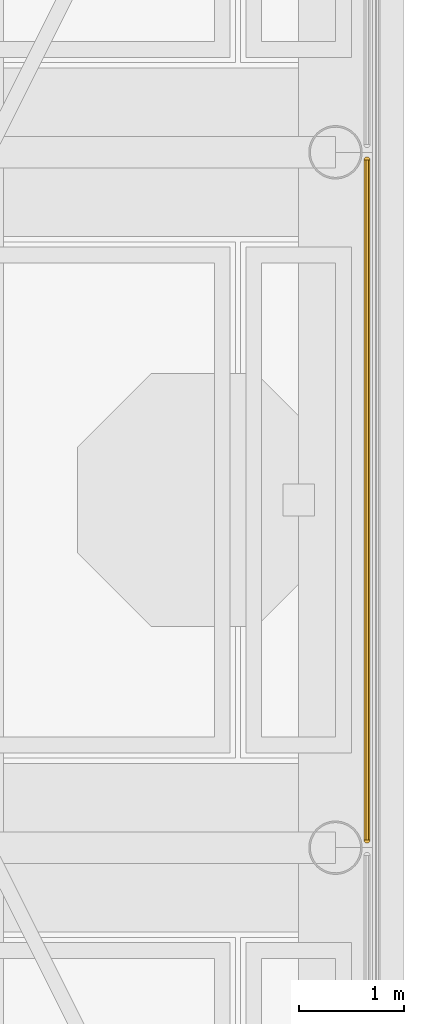
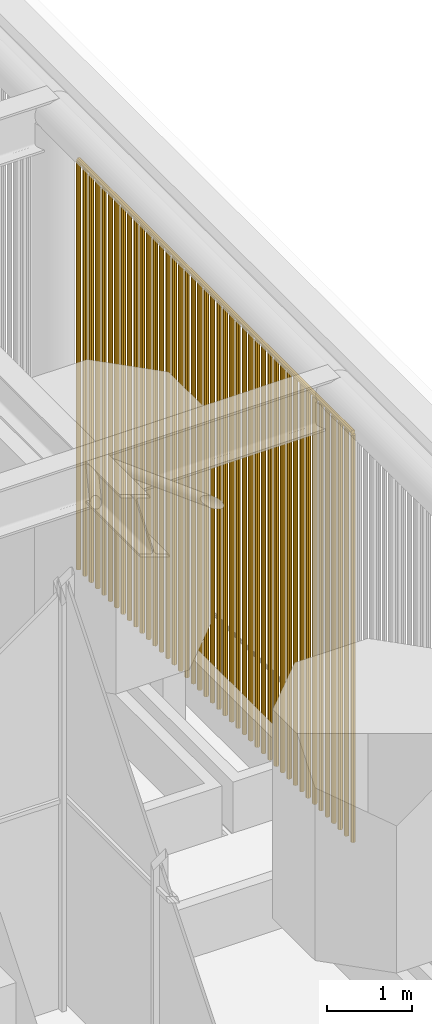
# One storey, part 16 of 22: 1 covering.
"""IFC4 building model written with IfcOpenShell, lengths in metres."""

from ifc_helpers import new_model, si_unit, direction, frame, origin, place, context, subcontext, project, spatial, polyline, outline, extrude, material, type_object, element, save


model = new_model("IFC4")

# Units and contexts
model_context = context("Model", 3, precision=1e-05, world=origin(), true_north=direction((0.0, 1.0)))
body_context = subcontext(model_context, "Body", "Model", "MODEL_VIEW")
ifc_project = project(units=[si_unit("LENGTHUNIT", "METRE"), si_unit("AREAUNIT", "SQUARE_METRE"), si_unit("VOLUMEUNIT", "CUBIC_METRE"), si_unit("PLANEANGLEUNIT", "RADIAN"), si_unit("MASSUNIT", "GRAM", prefix="KILO")], contexts=[model_context])

# Site, building, storey
site_placement = place(None, origin())
site = spatial("IfcSite", under=ifc_project, at=site_placement, CompositionType="ELEMENT")
building_placement = place(site_placement, origin())
building = spatial("IfcBuilding", under=site, at=building_placement, Name="Cobogo Forest Laboratory Tower", CompositionType="ELEMENT")
storey_placement = place(building_placement, frame((0.0, 0.0, 292.800048828125)))
storey = spatial("IfcBuildingStorey", under=building, at=storey_placement, Name="RF", CompositionType="ELEMENT", Elevation=292.800048828125)

# Covering
ifc_material = material(Name="Terracotta baguettes on a galvanised steel top rail", Category="masonry")
covering_type = type_object("IfcCoveringType", Name="CS1 crown terracotta baguette screen", PredefinedType="CLADDING", material=ifc_material)
covering_placement = place(storey_placement, frame((46.5, 19.875, -0.0009765625)))
element("IfcCovering", 1, at=covering_placement, inside=storey, type_object=covering_type, Name="Crown screen E2", PredefinedType="CLADDING", context=body_context, shape_type="SweptSolid", body=[
    extrude(outline(polyline([(0.02880859375, 0.011962890625), (0.011962890625, 0.02880859375), (-0.011962890625, 0.02880859375), (-0.02880859375, 0.011962890625), (-0.02880859375, -0.011962890625), (-0.011962890625, -0.02880859375), (0.011962890625, -0.02880859375), (0.02880859375, -0.011962890625), (0.02880859375, 0.011962890625)])), frame((0.0, 0.0, 5.873046875), z_axis=(0.0, 1.0, 0.0), x_axis=(-1.0, 0.0, 0.0)), (0.0, 0.0, 1.0), 6.449951171875),
    extrude(outline(polyline([(0.02880859375, 0.011962890625), (0.011962890625, 0.02880859375), (-0.011962890625, 0.02880859375), (-0.02880859375, 0.011962890625), (-0.02880859375, -0.011962890625), (-0.011962890625, -0.02880859375), (0.011962890625, -0.02880859375), (0.02880859375, -0.011962890625), (0.02880859375, 0.011962890625)])), origin(), (0.0, 0.0, 1.0), 5.841796875),
    extrude(outline(polyline([(0.02880859375, 0.011962890625), (0.011962890625, 0.02880859375), (-0.011962890625, 0.02880859375), (-0.02880859375, 0.011962890625), (-0.02880859375, -0.011962890625), (-0.011962890625, -0.02880859375), (0.011962890625, -0.02880859375), (0.02880859375, -0.011962890625), (0.02880859375, 0.011962890625)])), frame((0.0, 0.14990234375, 0.0)), (0.0, 0.0, 1.0), 5.841796875),
    extrude(outline(polyline([(0.02880859375, 0.011962890625), (0.011962890625, 0.02880859375), (-0.011962890625, 0.02880859375), (-0.02880859375, 0.011962890625), (-0.02880859375, -0.011962890625), (-0.011962890625, -0.02880859375), (0.011962890625, -0.02880859375), (0.02880859375, -0.011962890625), (0.02880859375, 0.011962890625)])), frame((0.0, 0.300048828125, 0.0)), (0.0, 0.0, 1.0), 5.841796875),
    extrude(outline(polyline([(0.02880859375, 0.011962890625), (0.011962890625, 0.02880859375), (-0.011962890625, 0.02880859375), (-0.02880859375, 0.011962890625), (-0.02880859375, -0.011962890625), (-0.011962890625, -0.02880859375), (0.011962890625, -0.02880859375), (0.02880859375, -0.011962890625), (0.02880859375, 0.011962890625)])), frame((0.0, 0.449951171875, 0.0)), (0.0, 0.0, 1.0), 5.841796875),
    extrude(outline(polyline([(0.02880859375, 0.011962890625), (0.011962890625, 0.02880859375), (-0.011962890625, 0.02880859375), (-0.02880859375, 0.011962890625), (-0.02880859375, -0.011962890625), (-0.011962890625, -0.02880859375), (0.011962890625, -0.02880859375), (0.02880859375, -0.011962890625), (0.02880859375, 0.011962890625)])), frame((0.0, 0.60009765625, 0.0)), (0.0, 0.0, 1.0), 5.841796875),
    extrude(outline(polyline([(0.02880859375, 0.011962890625), (0.011962890625, 0.02880859375), (-0.011962890625, 0.02880859375), (-0.02880859375, 0.011962890625), (-0.02880859375, -0.011962890625), (-0.011962890625, -0.02880859375), (0.011962890625, -0.02880859375), (0.02880859375, -0.011962890625), (0.02880859375, 0.011962890625)])), frame((0.0, 0.75, 0.0)), (0.0, 0.0, 1.0), 5.841796875),
    extrude(outline(polyline([(0.02880859375, 0.011962890625), (0.011962890625, 0.02880859375), (-0.011962890625, 0.02880859375), (-0.02880859375, 0.011962890625), (-0.02880859375, -0.011962890625), (-0.011962890625, -0.02880859375), (0.011962890625, -0.02880859375), (0.02880859375, -0.011962890625), (0.02880859375, 0.011962890625)])), frame((0.0, 0.89990234375, 0.0)), (0.0, 0.0, 1.0), 5.841796875),
    extrude(outline(polyline([(0.02880859375, 0.011962890625), (0.011962890625, 0.02880859375), (-0.011962890625, 0.02880859375), (-0.02880859375, 0.011962890625), (-0.02880859375, -0.011962890625), (-0.011962890625, -0.02880859375), (0.011962890625, -0.02880859375), (0.02880859375, -0.011962890625), (0.02880859375, 0.011962890625)])), frame((0.0, 1.050048828125, 0.0)), (0.0, 0.0, 1.0), 5.841796875),
    extrude(outline(polyline([(0.02880859375, 0.011962890625), (0.011962890625, 0.02880859375), (-0.011962890625, 0.02880859375), (-0.02880859375, 0.011962890625), (-0.02880859375, -0.011962890625), (-0.011962890625, -0.02880859375), (0.011962890625, -0.02880859375), (0.02880859375, -0.011962890625), (0.02880859375, 0.011962890625)])), frame((0.0, 1.199951171875, 0.0)), (0.0, 0.0, 1.0), 5.841796875),
    extrude(outline(polyline([(0.02880859375, 0.011962890625), (0.011962890625, 0.02880859375), (-0.011962890625, 0.02880859375), (-0.02880859375, 0.011962890625), (-0.02880859375, -0.011962890625), (-0.011962890625, -0.02880859375), (0.011962890625, -0.02880859375), (0.02880859375, -0.011962890625), (0.02880859375, 0.011962890625)])), frame((0.0, 1.35009765625, 0.0)), (0.0, 0.0, 1.0), 5.841796875),
    extrude(outline(polyline([(0.02880859375, 0.011962890625), (0.011962890625, 0.02880859375), (-0.011962890625, 0.02880859375), (-0.02880859375, 0.011962890625), (-0.02880859375, -0.011962890625), (-0.011962890625, -0.02880859375), (0.011962890625, -0.02880859375), (0.02880859375, -0.011962890625), (0.02880859375, 0.011962890625)])), frame((0.0, 1.5, 0.0)), (0.0, 0.0, 1.0), 5.841796875),
    extrude(outline(polyline([(0.02880859375, 0.011962890625), (0.011962890625, 0.02880859375), (-0.011962890625, 0.02880859375), (-0.02880859375, 0.011962890625), (-0.02880859375, -0.011962890625), (-0.011962890625, -0.02880859375), (0.011962890625, -0.02880859375), (0.02880859375, -0.011962890625), (0.02880859375, 0.011962890625)])), frame((0.0, 1.64990234375, 0.0)), (0.0, 0.0, 1.0), 5.841796875),
    extrude(outline(polyline([(0.02880859375, 0.011962890625), (0.011962890625, 0.02880859375), (-0.011962890625, 0.02880859375), (-0.02880859375, 0.011962890625), (-0.02880859375, -0.011962890625), (-0.011962890625, -0.02880859375), (0.011962890625, -0.02880859375), (0.02880859375, -0.011962890625), (0.02880859375, 0.011962890625)])), frame((0.0, 1.800048828125, 0.0)), (0.0, 0.0, 1.0), 5.841796875),
    extrude(outline(polyline([(0.02880859375, 0.011962890625), (0.011962890625, 0.02880859375), (-0.011962890625, 0.02880859375), (-0.02880859375, 0.011962890625), (-0.02880859375, -0.011962890625), (-0.011962890625, -0.02880859375), (0.011962890625, -0.02880859375), (0.02880859375, -0.011962890625), (0.02880859375, 0.011962890625)])), frame((0.0, 1.949951171875, 0.0)), (0.0, 0.0, 1.0), 5.841796875),
    extrude(outline(polyline([(0.02880859375, 0.011962890625), (0.011962890625, 0.02880859375), (-0.011962890625, 0.02880859375), (-0.02880859375, 0.011962890625), (-0.02880859375, -0.011962890625), (-0.011962890625, -0.02880859375), (0.011962890625, -0.02880859375), (0.02880859375, -0.011962890625), (0.02880859375, 0.011962890625)])), frame((0.0, 2.10009765625, 0.0)), (0.0, 0.0, 1.0), 5.841796875),
    extrude(outline(polyline([(0.02880859375, 0.011962890625), (0.011962890625, 0.02880859375), (-0.011962890625, 0.02880859375), (-0.02880859375, 0.011962890625), (-0.02880859375, -0.011962890625), (-0.011962890625, -0.02880859375), (0.011962890625, -0.02880859375), (0.02880859375, -0.011962890625), (0.02880859375, 0.011962890625)])), frame((0.0, 2.25, 0.0)), (0.0, 0.0, 1.0), 5.841796875),
    extrude(outline(polyline([(0.02880859375, 0.011962890625), (0.011962890625, 0.02880859375), (-0.011962890625, 0.02880859375), (-0.02880859375, 0.011962890625), (-0.02880859375, -0.011962890625), (-0.011962890625, -0.02880859375), (0.011962890625, -0.02880859375), (0.02880859375, -0.011962890625), (0.02880859375, 0.011962890625)])), frame((0.0, 2.39990234375, 0.0)), (0.0, 0.0, 1.0), 5.841796875),
    extrude(outline(polyline([(0.02880859375, 0.011962890625), (0.011962890625, 0.02880859375), (-0.011962890625, 0.02880859375), (-0.02880859375, 0.011962890625), (-0.02880859375, -0.011962890625), (-0.011962890625, -0.02880859375), (0.011962890625, -0.02880859375), (0.02880859375, -0.011962890625), (0.02880859375, 0.011962890625)])), frame((0.0, 2.550048828125, 0.0)), (0.0, 0.0, 1.0), 5.841796875),
    extrude(outline(polyline([(0.02880859375, 0.011962890625), (0.011962890625, 0.02880859375), (-0.011962890625, 0.02880859375), (-0.02880859375, 0.011962890625), (-0.02880859375, -0.011962890625), (-0.011962890625, -0.02880859375), (0.011962890625, -0.02880859375), (0.02880859375, -0.011962890625), (0.02880859375, 0.011962890625)])), frame((0.0, 2.699951171875, 0.0)), (0.0, 0.0, 1.0), 5.841796875),
    extrude(outline(polyline([(0.02880859375, 0.011962890625), (0.011962890625, 0.02880859375), (-0.011962890625, 0.02880859375), (-0.02880859375, 0.011962890625), (-0.02880859375, -0.011962890625), (-0.011962890625, -0.02880859375), (0.011962890625, -0.02880859375), (0.02880859375, -0.011962890625), (0.02880859375, 0.011962890625)])), frame((0.0, 2.85009765625, 0.0)), (0.0, 0.0, 1.0), 5.841796875),
    extrude(outline(polyline([(0.02880859375, 0.011962890625), (0.011962890625, 0.02880859375), (-0.011962890625, 0.02880859375), (-0.02880859375, 0.011962890625), (-0.02880859375, -0.011962890625), (-0.011962890625, -0.02880859375), (0.011962890625, -0.02880859375), (0.02880859375, -0.011962890625), (0.02880859375, 0.011962890625)])), frame((0.0, 3.0, 0.0)), (0.0, 0.0, 1.0), 5.841796875),
    extrude(outline(polyline([(0.02880859375, 0.011962890625), (0.011962890625, 0.02880859375), (-0.011962890625, 0.02880859375), (-0.02880859375, 0.011962890625), (-0.02880859375, -0.011962890625), (-0.011962890625, -0.02880859375), (0.011962890625, -0.02880859375), (0.02880859375, -0.011962890625), (0.02880859375, 0.011962890625)])), frame((0.0, 3.14990234375, 0.0)), (0.0, 0.0, 1.0), 5.841796875),
    extrude(outline(polyline([(0.02880859375, 0.011962890625), (0.011962890625, 0.02880859375), (-0.011962890625, 0.02880859375), (-0.02880859375, 0.011962890625), (-0.02880859375, -0.011962890625), (-0.011962890625, -0.02880859375), (0.011962890625, -0.02880859375), (0.02880859375, -0.011962890625), (0.02880859375, 0.011962890625)])), frame((0.0, 3.300048828125, 0.0)), (0.0, 0.0, 1.0), 5.841796875),
    extrude(outline(polyline([(0.02880859375, 0.011962890625), (0.011962890625, 0.02880859375), (-0.011962890625, 0.02880859375), (-0.02880859375, 0.011962890625), (-0.02880859375, -0.011962890625), (-0.011962890625, -0.02880859375), (0.011962890625, -0.02880859375), (0.02880859375, -0.011962890625), (0.02880859375, 0.011962890625)])), frame((0.0, 3.449951171875, 0.0)), (0.0, 0.0, 1.0), 5.841796875),
    extrude(outline(polyline([(0.02880859375, 0.011962890625), (0.011962890625, 0.02880859375), (-0.011962890625, 0.02880859375), (-0.02880859375, 0.011962890625), (-0.02880859375, -0.011962890625), (-0.011962890625, -0.02880859375), (0.011962890625, -0.02880859375), (0.02880859375, -0.011962890625), (0.02880859375, 0.011962890625)])), frame((0.0, 3.599853515625, 0.0)), (0.0, 0.0, 1.0), 5.841796875),
    extrude(outline(polyline([(0.02880859375, 0.011962890625), (0.011962890625, 0.02880859375), (-0.011962890625, 0.02880859375), (-0.02880859375, 0.011962890625), (-0.02880859375, -0.011962890625), (-0.011962890625, -0.02880859375), (0.011962890625, -0.02880859375), (0.02880859375, -0.011962890625), (0.02880859375, 0.011962890625)])), frame((0.0, 3.75, 0.0)), (0.0, 0.0, 1.0), 5.841796875),
    extrude(outline(polyline([(0.02880859375, 0.011962890625), (0.011962890625, 0.02880859375), (-0.011962890625, 0.02880859375), (-0.02880859375, 0.011962890625), (-0.02880859375, -0.011962890625), (-0.011962890625, -0.02880859375), (0.011962890625, -0.02880859375), (0.02880859375, -0.011962890625), (0.02880859375, 0.011962890625)])), frame((0.0, 3.89990234375, 0.0)), (0.0, 0.0, 1.0), 5.841796875),
    extrude(outline(polyline([(0.02880859375, 0.011962890625), (0.011962890625, 0.02880859375), (-0.011962890625, 0.02880859375), (-0.02880859375, 0.011962890625), (-0.02880859375, -0.011962890625), (-0.011962890625, -0.02880859375), (0.011962890625, -0.02880859375), (0.02880859375, -0.011962890625), (0.02880859375, 0.011962890625)])), frame((0.0, 4.050048828125, 0.0)), (0.0, 0.0, 1.0), 5.841796875),
    extrude(outline(polyline([(0.02880859375, 0.011962890625), (0.011962890625, 0.02880859375), (-0.011962890625, 0.02880859375), (-0.02880859375, 0.011962890625), (-0.02880859375, -0.011962890625), (-0.011962890625, -0.02880859375), (0.011962890625, -0.02880859375), (0.02880859375, -0.011962890625), (0.02880859375, 0.011962890625)])), frame((0.0, 4.199951171875, 0.0)), (0.0, 0.0, 1.0), 5.841796875),
    extrude(outline(polyline([(0.02880859375, 0.011962890625), (0.011962890625, 0.02880859375), (-0.011962890625, 0.02880859375), (-0.02880859375, 0.011962890625), (-0.02880859375, -0.011962890625), (-0.011962890625, -0.02880859375), (0.011962890625, -0.02880859375), (0.02880859375, -0.011962890625), (0.02880859375, 0.011962890625)])), frame((0.0, 4.349853515625, 0.0)), (0.0, 0.0, 1.0), 5.841796875),
    extrude(outline(polyline([(0.02880859375, 0.011962890625), (0.011962890625, 0.02880859375), (-0.011962890625, 0.02880859375), (-0.02880859375, 0.011962890625), (-0.02880859375, -0.011962890625), (-0.011962890625, -0.02880859375), (0.011962890625, -0.02880859375), (0.02880859375, -0.011962890625), (0.02880859375, 0.011962890625)])), frame((0.0, 4.5, 0.0)), (0.0, 0.0, 1.0), 5.841796875),
    extrude(outline(polyline([(0.02880859375, 0.011962890625), (0.011962890625, 0.02880859375), (-0.011962890625, 0.02880859375), (-0.02880859375, 0.011962890625), (-0.02880859375, -0.011962890625), (-0.011962890625, -0.02880859375), (0.011962890625, -0.02880859375), (0.02880859375, -0.011962890625), (0.02880859375, 0.011962890625)])), frame((0.0, 4.64990234375, 0.0)), (0.0, 0.0, 1.0), 5.841796875),
    extrude(outline(polyline([(0.02880859375, 0.011962890625), (0.011962890625, 0.02880859375), (-0.011962890625, 0.02880859375), (-0.02880859375, 0.011962890625), (-0.02880859375, -0.011962890625), (-0.011962890625, -0.02880859375), (0.011962890625, -0.02880859375), (0.02880859375, -0.011962890625), (0.02880859375, 0.011962890625)])), frame((0.0, 4.800048828125, 0.0)), (0.0, 0.0, 1.0), 5.841796875),
    extrude(outline(polyline([(0.02880859375, 0.011962890625), (0.011962890625, 0.02880859375), (-0.011962890625, 0.02880859375), (-0.02880859375, 0.011962890625), (-0.02880859375, -0.011962890625), (-0.011962890625, -0.02880859375), (0.011962890625, -0.02880859375), (0.02880859375, -0.011962890625), (0.02880859375, 0.011962890625)])), frame((0.0, 4.949951171875, 0.0)), (0.0, 0.0, 1.0), 5.841796875),
    extrude(outline(polyline([(0.02880859375, 0.011962890625), (0.011962890625, 0.02880859375), (-0.011962890625, 0.02880859375), (-0.02880859375, 0.011962890625), (-0.02880859375, -0.011962890625), (-0.011962890625, -0.02880859375), (0.011962890625, -0.02880859375), (0.02880859375, -0.011962890625), (0.02880859375, 0.011962890625)])), frame((0.0, 5.099853515625, 0.0)), (0.0, 0.0, 1.0), 5.841796875),
    extrude(outline(polyline([(0.02880859375, 0.011962890625), (0.011962890625, 0.02880859375), (-0.011962890625, 0.02880859375), (-0.02880859375, 0.011962890625), (-0.02880859375, -0.011962890625), (-0.011962890625, -0.02880859375), (0.011962890625, -0.02880859375), (0.02880859375, -0.011962890625), (0.02880859375, 0.011962890625)])), frame((0.0, 5.25, 0.0)), (0.0, 0.0, 1.0), 5.841796875),
    extrude(outline(polyline([(0.02880859375, 0.011962890625), (0.011962890625, 0.02880859375), (-0.011962890625, 0.02880859375), (-0.02880859375, 0.011962890625), (-0.02880859375, -0.011962890625), (-0.011962890625, -0.02880859375), (0.011962890625, -0.02880859375), (0.02880859375, -0.011962890625), (0.02880859375, 0.011962890625)])), frame((0.0, 5.39990234375, 0.0)), (0.0, 0.0, 1.0), 5.841796875),
    extrude(outline(polyline([(0.02880859375, 0.011962890625), (0.011962890625, 0.02880859375), (-0.011962890625, 0.02880859375), (-0.02880859375, 0.011962890625), (-0.02880859375, -0.011962890625), (-0.011962890625, -0.02880859375), (0.011962890625, -0.02880859375), (0.02880859375, -0.011962890625), (0.02880859375, 0.011962890625)])), frame((0.0, 5.550048828125, 0.0)), (0.0, 0.0, 1.0), 5.841796875),
    extrude(outline(polyline([(0.02880859375, 0.011962890625), (0.011962890625, 0.02880859375), (-0.011962890625, 0.02880859375), (-0.02880859375, 0.011962890625), (-0.02880859375, -0.011962890625), (-0.011962890625, -0.02880859375), (0.011962890625, -0.02880859375), (0.02880859375, -0.011962890625), (0.02880859375, 0.011962890625)])), frame((0.0, 5.699951171875, 0.0)), (0.0, 0.0, 1.0), 5.841796875),
    extrude(outline(polyline([(0.02880859375, 0.011962890625), (0.011962890625, 0.02880859375), (-0.011962890625, 0.02880859375), (-0.02880859375, 0.011962890625), (-0.02880859375, -0.011962890625), (-0.011962890625, -0.02880859375), (0.011962890625, -0.02880859375), (0.02880859375, -0.011962890625), (0.02880859375, 0.011962890625)])), frame((0.0, 5.849853515625, 0.0)), (0.0, 0.0, 1.0), 5.841796875),
    extrude(outline(polyline([(0.02880859375, 0.011962890625), (0.011962890625, 0.02880859375), (-0.011962890625, 0.02880859375), (-0.02880859375, 0.011962890625), (-0.02880859375, -0.011962890625), (-0.011962890625, -0.02880859375), (0.011962890625, -0.02880859375), (0.02880859375, -0.011962890625), (0.02880859375, 0.011962890625)])), frame((0.0, 6.0, 0.0)), (0.0, 0.0, 1.0), 5.841796875),
    extrude(outline(polyline([(0.02880859375, 0.011962890625), (0.011962890625, 0.02880859375), (-0.011962890625, 0.02880859375), (-0.02880859375, 0.011962890625), (-0.02880859375, -0.011962890625), (-0.011962890625, -0.02880859375), (0.011962890625, -0.02880859375), (0.02880859375, -0.011962890625), (0.02880859375, 0.011962890625)])), frame((0.0, 6.14990234375, 0.0)), (0.0, 0.0, 1.0), 5.841796875),
    extrude(outline(polyline([(0.02880859375, 0.011962890625), (0.011962890625, 0.02880859375), (-0.011962890625, 0.02880859375), (-0.02880859375, 0.011962890625), (-0.02880859375, -0.011962890625), (-0.011962890625, -0.02880859375), (0.011962890625, -0.02880859375), (0.02880859375, -0.011962890625), (0.02880859375, 0.011962890625)])), frame((0.0, 6.300048828125, 0.0)), (0.0, 0.0, 1.0), 5.841796875),
    extrude(outline(polyline([(0.02880859375, 0.011962890625), (0.011962890625, 0.02880859375), (-0.011962890625, 0.02880859375), (-0.02880859375, 0.011962890625), (-0.02880859375, -0.011962890625), (-0.011962890625, -0.02880859375), (0.011962890625, -0.02880859375), (0.02880859375, -0.011962890625), (0.02880859375, 0.011962890625)])), frame((0.0, 6.449951171875, 0.0)), (0.0, 0.0, 1.0), 5.841796875),
])

save(model, "model.ifc")
